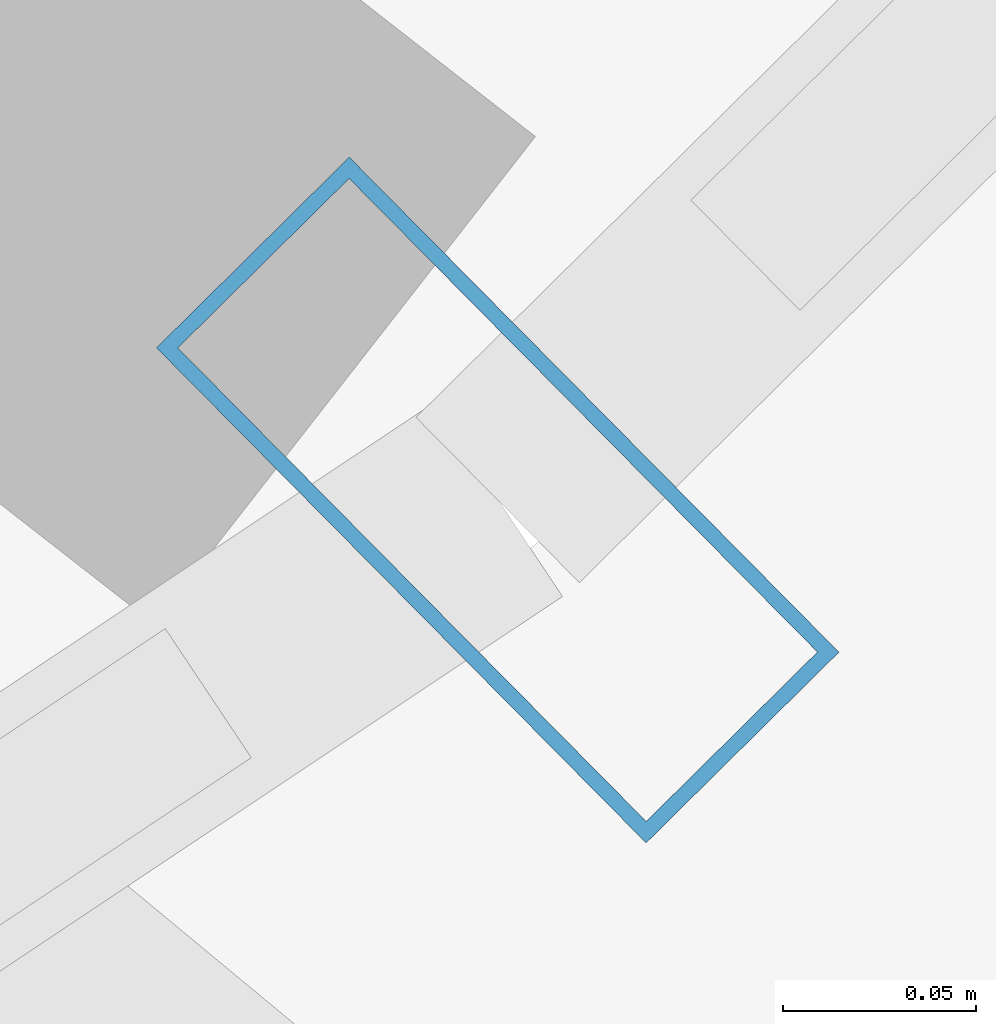
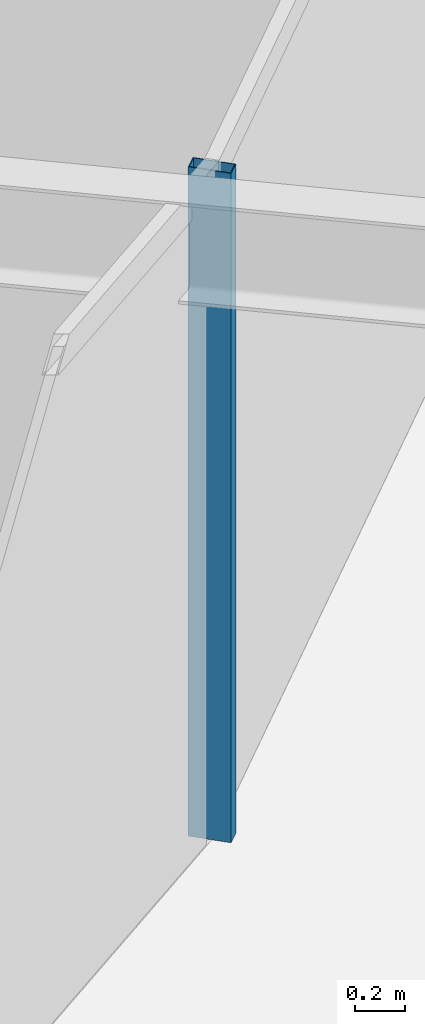
# One storey, part 8 of 23: 1 member, 1 element without a shape of its own.
"""IFC4 building model written with IfcOpenShell, lengths in metres."""

from ifc_helpers import new_model, si_unit, direction, frame, origin, origin_2d, place, context, subcontext, project, spatial, hollow_rectangle, extrude, material, layer, layer_set, material_profile, profile_set, type_object, element, aggregate, save


model = new_model("IFC4")

# Units and contexts
model_context = context("Model", 3, precision=1e-05, world=origin(), true_north=direction((0.0, 1.0)))
body_context = subcontext(model_context, "Body", "Model", "MODEL_VIEW")
ifc_project = project(units=[si_unit("LENGTHUNIT", "METRE"), si_unit("AREAUNIT", "SQUARE_METRE"), si_unit("VOLUMEUNIT", "CUBIC_METRE"), si_unit("PLANEANGLEUNIT", "RADIAN"), si_unit("MASSUNIT", "GRAM", prefix="KILO")], contexts=[model_context])

# Site, building, storey
site_placement = place(None, origin())
site = spatial("IfcSite", under=ifc_project, at=site_placement, CompositionType="ELEMENT")
building_placement = place(site_placement, origin())
building = spatial("IfcBuilding", under=site, at=building_placement, Name="Veldorina Hangang Commons", CompositionType="ELEMENT")
storey_placement = place(building_placement, frame((0.0, 0.0, 95.199951171875)))
storey = spatial("IfcBuildingStorey", under=building, at=storey_placement, Name="L24", CompositionType="ELEMENT", Elevation=95.199951171875)

# Curtain wall, member
ifc_material_1 = material(Name="Glass Low-E Triple IGU", Category="glass")
ifc_layer = layer(ifc_material_1, 0.179931640625)
ifc_layer_set = layer_set([ifc_layer], Name="Glass Low-E Triple IGU")
curtain_wall_type = type_object("IfcCurtainWallType", Name="CW-SYS-Z1", PredefinedType="NOTDEFINED", material=ifc_layer_set)
curtain_wall_placement = place(storey_placement, origin())
curtain_wall = element("IfcCurtainWall", 1, at=curtain_wall_placement, inside=storey, type_object=curtain_wall_type, Name="L24 unitised curtain wall CW-L24-R2", PredefinedType="NOTDEFINED")
ifc_material_2 = material(Name="Aluminium Anodized AA6063-T6", Category="aluminium")
ifc_material_profile = material_profile(ifc_material_2, hollow_rectangle(XDim=0.070068359375, YDim=0.179931640625, WallThickness=0.00390625, at=origin_2d()), Name="ALU-RHS-180x70x4")
ifc_profile_set = profile_set([ifc_material_profile], Name="Aluminium Anodized AA6063-T6")
member_type = type_object("IfcMemberType", Name="CW-MUL-180", PredefinedType="MULLION", material=ifc_profile_set)
member_placement = place(storey_placement, frame((50.645751953125, 8.8662109375, 0.0), z_axis=(0.0, 0.0, 1.0), x_axis=(0.710995871012, 0.703196182729, 0.0)))
member = element("IfcMember", 2, at=member_placement, type_object=member_type, Name="CW-L24-R2 vertical mullion 2", PredefinedType="MULLION", context=body_context, shape_type="SweptSolid", body=[
    extrude(hollow_rectangle(XDim=0.070068359375, YDim=0.179931640625, WallThickness=0.00390625, at=origin_2d()), origin(), (0.0, 0.0, 1.0), 3.300048828125),
])
aggregate(curtain_wall, [member])

save(model, "model.ifc")
